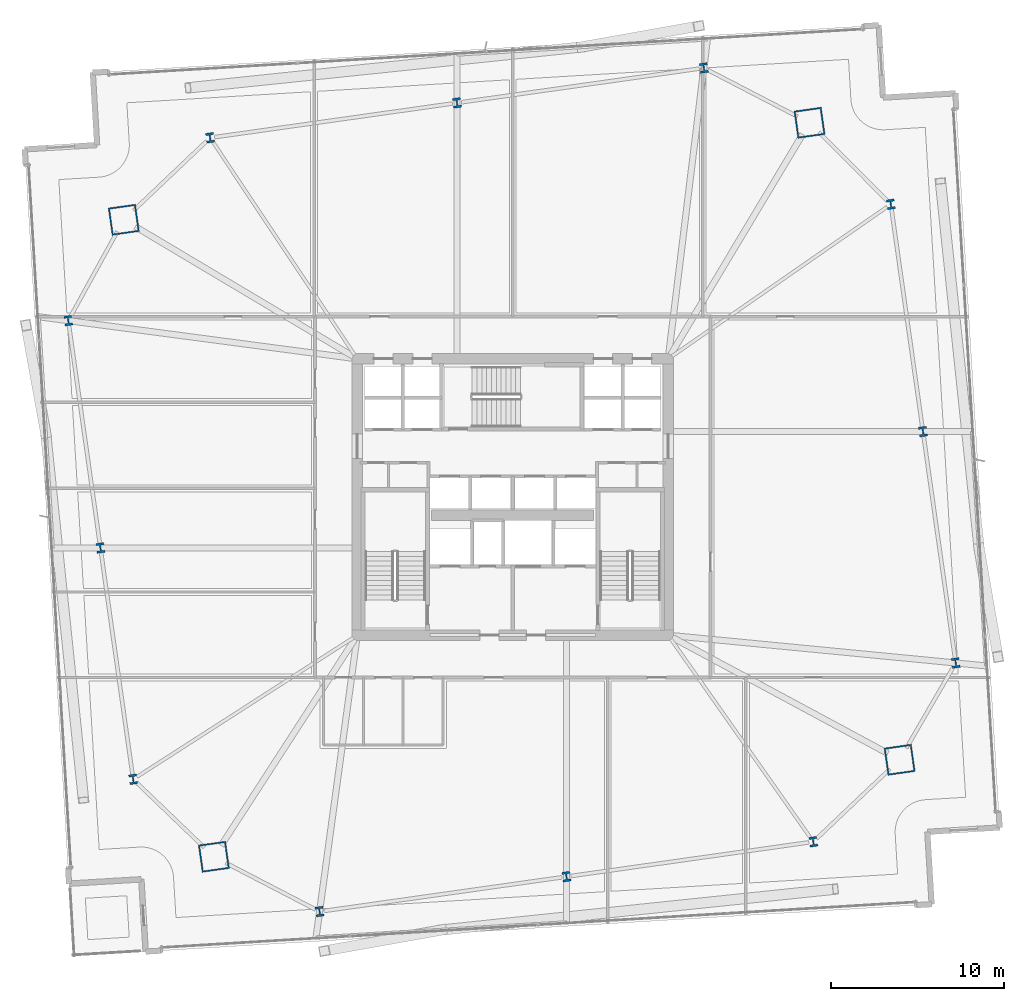
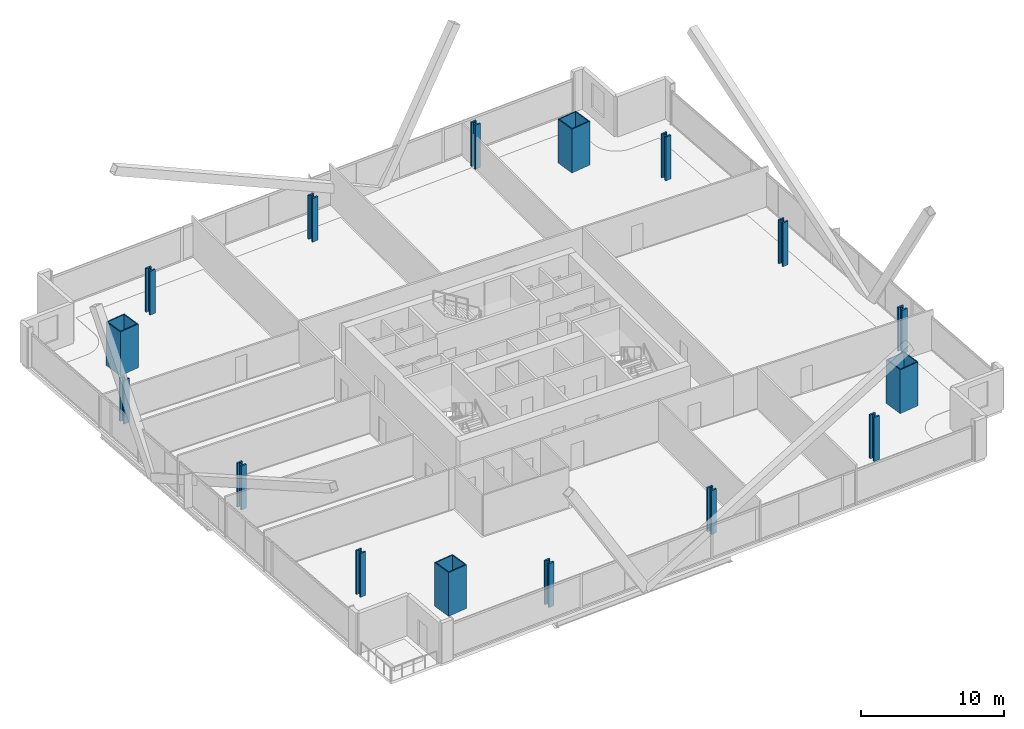
# One storey, part 1 of 34: 16 columns.
"""IFC4 building model written with IfcOpenShell, lengths in metres."""

import ifcopenshell
import ifcopenshell.guid

model = None  # the IFC model being written
_history = None  # IfcOwnerHistory: only IFC2X3 demands one
_inside = {}  # id of a spatial element -> (the spatial element, [elements in it])
_under = {}  # id of a project, library or spatial element -> (it, [spatial elements below it])
_declared = {}  # id of a project -> (the project, [libraries it declares])
_typed = {}  # id of a type object -> (the type object, [elements of that type])
_made_of = {}  # id of a material, layer set ... -> (it, [elements and type objects made of it])


def new_model(schema):
    """Start an empty IFC model of exactly this schema.

    Asked for "IFC4X3", IfcOpenShell would pick the latest addendum, in which some entities
    have other attributes; the version numbers below select the first issue.
    IFC2X3 requires an IfcOwnerHistory on every rooted entity: one is made here for all.
    """
    global model, _history
    if schema == "IFC4X3":
        model = ifcopenshell.file(schema_version=(4, 3, 0, 0))
    else:
        model = ifcopenshell.file(schema=schema)
    _inside.clear()
    _under.clear()
    _declared.clear()
    _typed.clear()
    _made_of.clear()
    _history = None
    if model.schema == "IFC2X3":
        org = make("IfcOrganization", Name="unknown")
        user = make(
            "IfcPersonAndOrganization",
            ThePerson=make("IfcPerson", FamilyName="unknown"),
            TheOrganization=org,
        )
        app = make(
            "IfcApplication",
            ApplicationDeveloper=org,
            Version="unknown",
            ApplicationFullName="unknown",
            ApplicationIdentifier="unknown",
        )
        _history = make(
            "IfcOwnerHistory",
            OwningUser=user,
            OwningApplication=app,
            ChangeAction="ADDED",
            CreationDate=0,
        )
    return model


def make(cls, **values):
    """One entity of the class cls with the attributes given. An attribute that is None is left unset."""
    return model.create_entity(
        cls, **{name: value for name, value in values.items() if value is not None}
    )


def rooted(cls, **values):
    """An entity with a GlobalId (a new one), such as an element, a storey or a relation."""
    return make(cls, GlobalId=ifcopenshell.guid.new(), OwnerHistory=_history, **values)


def si_unit(unit_type, name, prefix=None):
    """IfcSIUnit, for example si_unit("LENGTHUNIT", "METRE", prefix="MILLI")."""
    return make("IfcSIUnit", UnitType=unit_type, Prefix=prefix, Name=name)


def assignment(units):
    """IfcUnitAssignment: the units of a project."""
    return None if units is None else make("IfcUnitAssignment", Units=units)


def point(xyz):
    """IfcCartesianPoint."""
    return None if xyz is None else make("IfcCartesianPoint", Coordinates=xyz)


def direction(xyz):
    """IfcDirection."""
    return None if xyz is None else make("IfcDirection", DirectionRatios=xyz)


def frame(location, z_axis=None, x_axis=None):
    """IfcAxis2Placement3D, a coordinate frame: its origin and axes. An axis left out is left unset."""
    return make(
        "IfcAxis2Placement3D",
        Location=point(location),
        Axis=direction(z_axis),
        RefDirection=direction(x_axis),
    )


def frame_2d(location, x_axis=None):
    """IfcAxis2Placement2D, a coordinate frame in the plane: its origin and x axis."""
    return make(
        "IfcAxis2Placement2D", Location=point(location), RefDirection=direction(x_axis)
    )


def origin():
    """The frame at (0, 0, 0) with its axes left unset."""
    return frame((0.0, 0.0, 0.0))


def origin_2d():
    """The frame at (0, 0) in the plane with its x axis left unset."""
    return frame_2d((0.0, 0.0))


def place(relative_to, where):
    """IfcLocalPlacement: puts the frame where relative to a parent placement (None: the world)."""
    return make(
        "IfcLocalPlacement", PlacementRelTo=relative_to, RelativePlacement=where
    )


def context(
    kind, dimensions, precision=None, world=None, true_north=None, identifier=None
):
    """IfcGeometricRepresentationContext, for example the 3D "Model" context."""
    return make(
        "IfcGeometricRepresentationContext",
        ContextIdentifier=identifier,
        ContextType=kind,
        CoordinateSpaceDimension=dimensions,
        Precision=precision,
        WorldCoordinateSystem=world,
        TrueNorth=true_north,
    )


def subcontext(parent, identifier, kind, view, scale=None):
    """IfcGeometricRepresentationSubContext, for example "Body" below "Model"."""
    return make(
        "IfcGeometricRepresentationSubContext",
        ContextIdentifier=identifier,
        ContextType=kind,
        ParentContext=parent,
        TargetScale=scale,
        TargetView=view,
    )


def project(units=None, contexts=None):
    """IfcProject with its units and contexts."""
    return rooted(
        "IfcProject",
        Name="project",
        RepresentationContexts=contexts,
        UnitsInContext=assignment(units),
    )


def spatial(cls, under=None, at=None, **own):
    """A site, building, storey or space (cls), placed at a placement, below another one or the project."""
    s = rooted(cls, ObjectPlacement=at, **own)
    if under is not None:
        _under.setdefault(under.id(), (under, []))[1].append(s)
    return s


def profile(cls, at=None, kind="AREA", **sizes):
    """A parametric profile (cls). Its sizes go by their IFC names, for example OverallWidth=200.0."""
    return make(cls, ProfileType=kind, Position=at, **sizes)


def hollow_rectangle(**sizes):
    """IfcRectangleHollowProfileDef."""
    return profile("IfcRectangleHollowProfileDef", **sizes)


def i_section(**sizes):
    """IfcIShapeProfileDef."""
    return profile("IfcIShapeProfileDef", **sizes)


def extrude(swept, where, along, depth):
    """IfcExtrudedAreaSolid: the profile swept, set in the frame where, extruded along a direction by depth."""
    return make(
        "IfcExtrudedAreaSolid",
        SweptArea=swept,
        Position=where,
        ExtrudedDirection=direction(along),
        Depth=depth,
    )


def shape(context_of_items, identifier, shape_type, items):
    """IfcShapeRepresentation: the items that make up one representation, for example the "Body"."""
    return make(
        "IfcShapeRepresentation",
        ContextOfItems=context_of_items,
        RepresentationIdentifier=identifier,
        RepresentationType=shape_type,
        Items=items,
    )


def material(Name=None, Category=None):
    """IfcMaterial."""
    return make("IfcMaterial", Name=Name, Category=Category)


def material_profile(
    of_material, cross_section, Name=None, Category=None, Priority=None
):
    """IfcMaterialProfile: a cross section and its material."""
    return make(
        "IfcMaterialProfile",
        Name=Name,
        Material=of_material,
        Profile=cross_section,
        Priority=Priority,
        Category=Category,
    )


def profile_set(profiles, Name=None, composite=None):
    """IfcMaterialProfileSet."""
    return make(
        "IfcMaterialProfileSet",
        Name=Name,
        MaterialProfiles=profiles,
        CompositeProfile=composite,
    )


def made_of(thing, what):
    """Note that an element or type object is made of a material, layer set ...; save() writes the relation."""
    if what is not None:
        _made_of.setdefault(what.id(), (what, []))[1].append(thing)
    return thing


def type_object(cls, material=None, **own):
    """A type object (cls), such as IfcWallType, which elements share."""
    return made_of(rooted(cls, **own), material)


def element(
    cls,
    number,
    at=None,
    inside=None,
    cuts=None,
    type_object=None,
    material=None,
    context=None,
    identifier="Body",
    shape_type=None,
    held_by="IfcProductDefinitionShape",
    body=None,
    shapes=None,
    **own,
):
    """One element of the class cls, such as IfcWall. Its Tag is "e" and its number.

    at: its placement. inside: the storey or other place that contains it. cuts: it is an
    opening in that element (IfcRelVoidsElement). A single representation is given by context,
    identifier, shape_type and body (its items); several are given by shapes. held_by: the class
    of the entity that holds the representations. save() writes the other relations.
    """
    e = rooted(cls, Tag="e%d" % number, ObjectPlacement=at, **own)
    if body is not None:
        shapes = [shape(context, identifier, shape_type, body)]
    if shapes is not None:
        e.Representation = make(held_by, Representations=shapes)
    if inside is not None:
        _inside.setdefault(inside.id(), (inside, []))[1].append(e)
    if cuts is not None:
        rooted(
            "IfcRelVoidsElement", RelatingBuildingElement=cuts, RelatedOpeningElement=e
        )
    if type_object is not None:
        _typed.setdefault(type_object.id(), (type_object, []))[1].append(e)
    return made_of(e, material)


def aggregate(whole, parts):
    """IfcRelAggregates: a whole, such as a stair, and the parts it consists of."""
    return rooted("IfcRelAggregates", RelatingObject=whole, RelatedObjects=parts)


def save(model, path):
    """Write the relations noted so far, then the file.

    IfcRelAggregates (storeys below a building ...), IfcRelContainedInSpatialStructure (elements
    in a storey), IfcRelDefinesByType, IfcRelAssociatesMaterial and IfcRelDeclares: one each for
    every whole, place, type object, material and project.
    """
    for whole, parts in _under.values():
        aggregate(whole, parts)
    for where, things in _inside.values():
        rooted(
            "IfcRelContainedInSpatialStructure",
            RelatedElements=things,
            RelatingStructure=where,
        )
    for kind, things in _typed.values():
        rooted("IfcRelDefinesByType", RelatedObjects=things, RelatingType=kind)
    for what, things in _made_of.values():
        rooted("IfcRelAssociatesMaterial", RelatedObjects=things, RelatingMaterial=what)
    for by, libraries in _declared.values():
        rooted("IfcRelDeclares", RelatingContext=by, RelatedDefinitions=libraries)
    model.write(path)


model = new_model("IFC4")

# Units and contexts
model_context = context("Model", 3, precision=1e-05, world=origin(), true_north=direction((0.0, 1.0)))
body_context = subcontext(model_context, "Body", "Model", "MODEL_VIEW")
ifc_project = project(units=[si_unit("LENGTHUNIT", "METRE"), si_unit("AREAUNIT", "SQUARE_METRE"), si_unit("VOLUMEUNIT", "CUBIC_METRE"), si_unit("PLANEANGLEUNIT", "RADIAN"), si_unit("MASSUNIT", "GRAM", prefix="KILO")], contexts=[model_context])

# Site, building, storey
site_placement = place(None, origin())
site = spatial("IfcSite", under=ifc_project, at=site_placement, CompositionType="ELEMENT")
building_placement = place(site_placement, origin())
building = spatial("IfcBuilding", under=site, at=building_placement, Name="Haldenkirk Collegiate Tower", CompositionType="ELEMENT")
storey_placement = place(building_placement, frame((0.0, 0.0, 40.199951171875)))
storey = spatial("IfcBuildingStorey", under=building, at=storey_placement, Name="L08", CompositionType="ELEMENT", Elevation=40.199951171875)

# Columns
ifc_material_1 = material(Name="Steel ASTM A913 Grade 65", Category="steel")
ifc_material_profile_1 = material_profile(ifc_material_1, i_section(OverallWidth=0.4541015625, OverallDepth=0.569091796875, WebThickness=0.077880859375, FlangeThickness=0.124755859375, at=origin_2d()), Name="W14X730")
ifc_profile_set_1 = profile_set([ifc_material_profile_1], Name="Steel ASTM A913 Grade 65")
column_type_1 = type_object("IfcColumnType", Name="COL-INT-W14X730", PredefinedType="COLUMN", material=ifc_profile_set_1)
for number, where, z_axis, x_axis, name in (
    (1, (24.815185546875, 1.997314453125, 0.0), (0.0, 0.0, 1.0), (0.990146240249, 0.140037219771, 0.0), "L08 perimeter gravity column PC-S1"),
    (2, (39.10888671875, 4.018798828125, 0.0), (0.0, 0.0, 1.0), (0.990146240249, 0.140037219771, 0.0), "L08 perimeter gravity column PC-S2"),
    (3, (53.402587890625, 6.040283203125, 0.0), (0.0, 0.0, 1.0), (0.990146240249, 0.140037219771, 0.0), "L08 perimeter gravity column PC-S3"),
    (4, (61.648193359375, 16.39306640625, 0.0), (0.0, 0.0, 1.0), (0.990146240249, 0.140037219771, 0.0), "L08 perimeter gravity column PC-E1"),
    (5, (59.75341796875, 29.788818359375, 0.0), (0.0, 0.0, 1.0), (0.990146240249, 0.140037219771, 0.0), "L08 perimeter gravity column PC-E2"),
    (6, (57.892333984375, 42.94873046875, 0.0), (0.0, 0.0, 1.0), (0.990146240249, 0.140037219771, 0.0), "L08 perimeter gravity column PC-E3"),
    (7, (47.06591796875, 50.844482421875, 0.0), (0.0, 0.0, 1.0), (0.990146240249, 0.140037219771, 0.0), "L08 perimeter gravity column PC-N1"),
    (8, (32.772216796875, 48.822998046875, 0.0), (0.0, 0.0, 1.0), (0.990146240249, 0.140037219771, 0.0), "L08 perimeter gravity column PC-N2"),
    (9, (18.478515625, 46.80126953125, 0.0), (0.0, 0.0, 1.0), (0.990146240249, 0.140037219771, 0.0), "L08 perimeter gravity column PC-N3"),
    (10, (10.26611328125, 36.212890625, 0.0), (0.0, 0.0, 1.0), (0.990146240249, 0.140037219771, 0.0), "L08 perimeter gravity column PC-W1"),
    (11, (12.12744140625, 23.052978515625, 0.0), (0.0, 0.0, 1.0), (0.990146240249, 0.140037219771, 0.0), "L08 perimeter gravity column PC-W2"),
    (12, (14.02197265625, 9.6572265625, 0.0), (0.0, 0.0, 1.0), (0.990146240249, 0.140037219771, 0.0), "L08 perimeter gravity column PC-W3"),
):
    element("IfcColumn", number, at=place(storey_placement, frame(where, z_axis=z_axis, x_axis=x_axis)), inside=storey, type_object=column_type_1, Name=name, PredefinedType="COLUMN", context=body_context, shape_type="SweptSolid", body=[
        extrude(i_section(OverallWidth=0.4541015625, OverallDepth=0.569091796875, WebThickness=0.077880859375, FlangeThickness=0.124755859375, at=origin_2d()), origin(), (0.0, 0.0, 1.0), 3.75),
    ])
ifc_material_2 = material(Name="Steel ASTM A572 Grade 50", Category="steel")
ifc_material_profile_2 = material_profile(ifc_material_2, hollow_rectangle(XDim=1.60009765625, YDim=1.60009765625, WallThickness=0.080078125, at=origin_2d()), Name="BOX1600X1600X80")
ifc_profile_set_2 = profile_set([ifc_material_profile_2], Name="Steel ASTM A572 Grade 50")
column_type_2 = type_object("IfcColumnType", Name="COL-MEGA-BOX1600X1600X80", PredefinedType="COLUMN", material=ifc_profile_set_2)
for number, where, z_axis, x_axis, name in (
    (13, (18.6962890625, 5.171630859375, 0.0), (0.0, 0.0, 1.0), (0.990146240249, 0.140037219771, 0.0), "L08 corner mega-column MC1"),
    (14, (58.401123046875, 10.787109375, 0.0), (0.0, 0.0, 1.0), (0.990146240249, 0.140037219771, 0.0), "L08 corner mega-column MC2"),
    (15, (53.184814453125, 47.669921875, 0.0), (0.0, 0.0, 1.0), (0.990146240249, 0.140037219771, 0.0), "L08 corner mega-column MC3"),
    (16, (13.47998046875, 42.054443359375, 0.0), (0.0, 0.0, 1.0), (0.990146240249, 0.140037219771, 0.0), "L08 corner mega-column MC4"),
):
    element("IfcColumn", number, at=place(storey_placement, frame(where, z_axis=z_axis, x_axis=x_axis)), inside=storey, type_object=column_type_2, Name=name, PredefinedType="COLUMN", context=body_context, shape_type="SweptSolid", body=[
        extrude(hollow_rectangle(XDim=1.60009765625, YDim=1.60009765625, WallThickness=0.080078125, at=origin_2d()), origin(), (0.0, 0.0, 1.0), 3.75),
    ])

save(model, "model.ifc")
